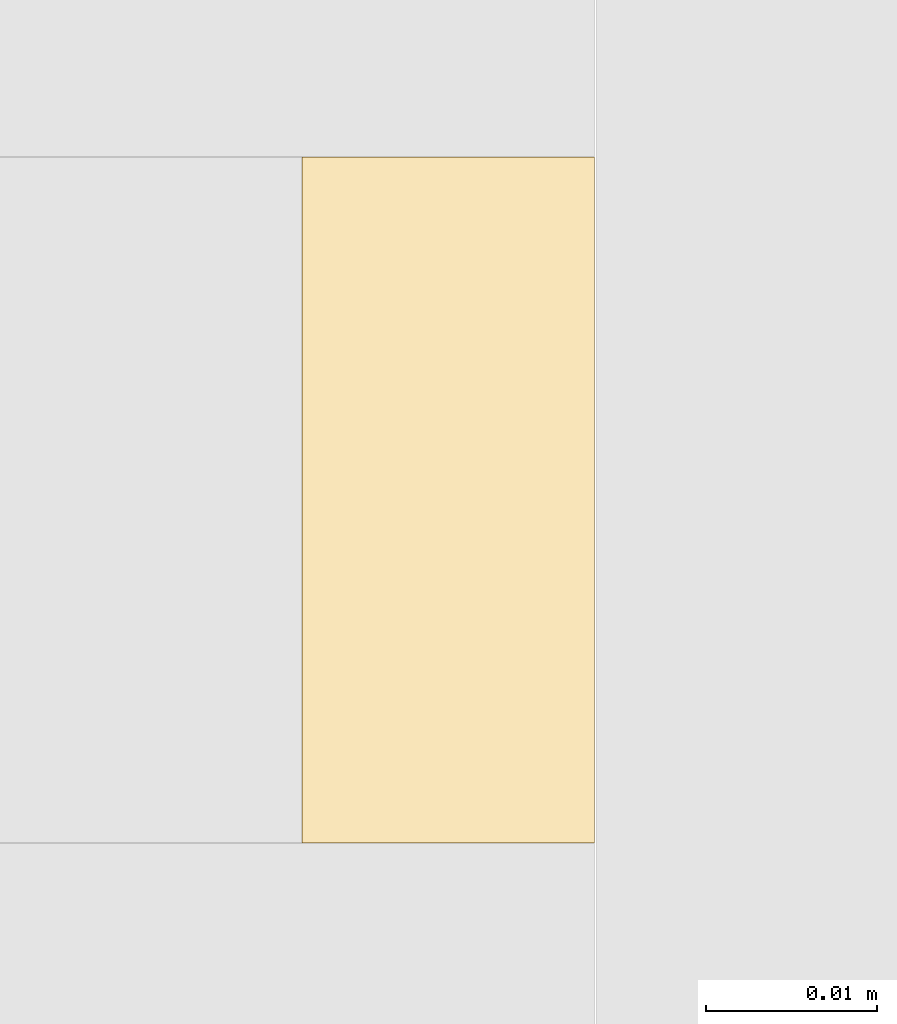
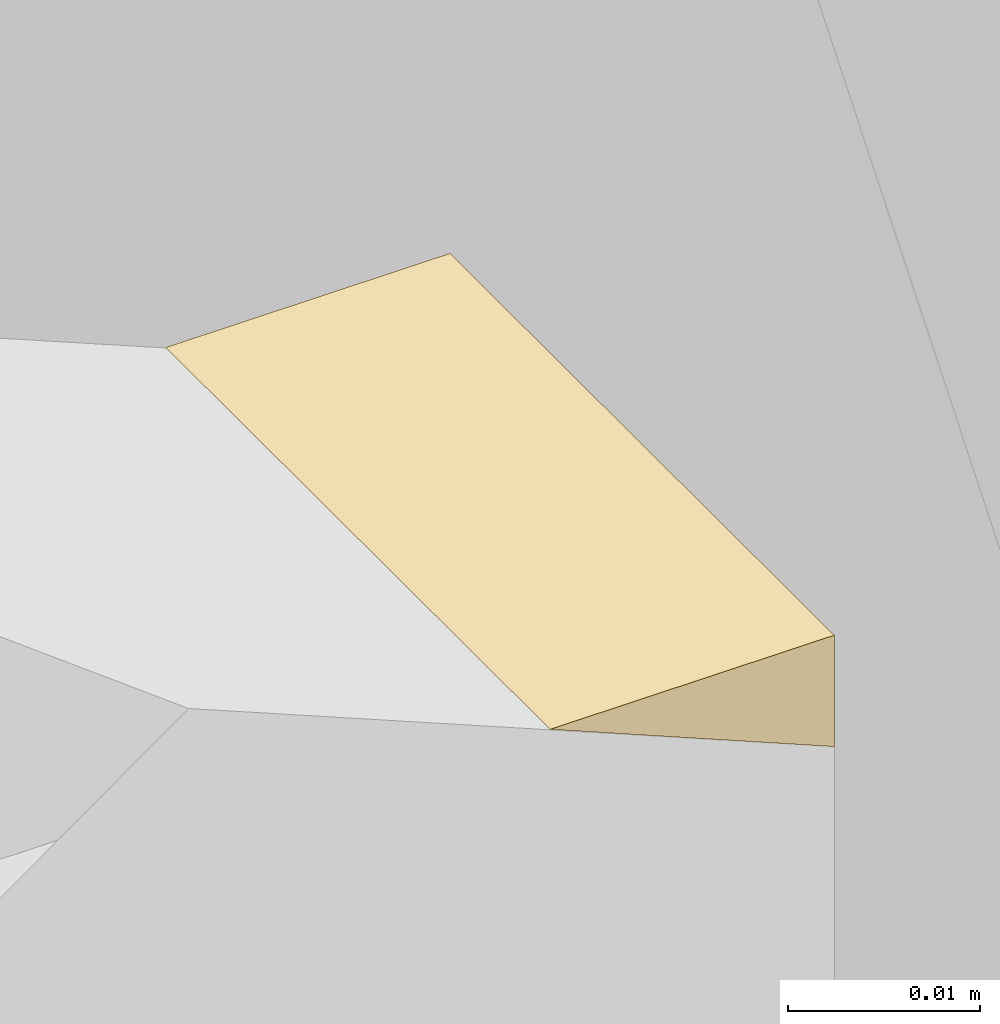
# One storey, part 25 of 25: 1 covering.
"""IFC4 building model written with IfcOpenShell, lengths in metres."""

from ifc_helpers import new_model, si_unit, direction, frame, origin, place, context, subcontext, project, spatial, polyline, outline, extrude, material, layer, layer_set, type_object, element, save


model = new_model("IFC4")

# Units and contexts
model_context = context("Model", 3, precision=1e-05, world=origin(), true_north=direction((0.0, 1.0)))
body_context = subcontext(model_context, "Body", "Model", "MODEL_VIEW")
ifc_project = project(units=[si_unit("LENGTHUNIT", "METRE"), si_unit("AREAUNIT", "SQUARE_METRE"), si_unit("VOLUMEUNIT", "CUBIC_METRE"), si_unit("PLANEANGLEUNIT", "RADIAN"), si_unit("MASSUNIT", "GRAM", prefix="KILO")], contexts=[model_context])

# Site, building, storey
site_placement = place(None, origin())
site = spatial("IfcSite", under=ifc_project, at=site_placement, CompositionType="ELEMENT")
building_placement = place(site_placement, origin())
building = spatial("IfcBuilding", under=site, at=building_placement, Name="Malebo Sky Hospital", CompositionType="ELEMENT")
storey_placement = place(building_placement, frame((0.0, 0.0, 241.0)))
storey = spatial("IfcBuildingStorey", under=building, at=storey_placement, Name="L58", CompositionType="ELEMENT", Elevation=241.0)

# Covering
ifc_material = material(Name="Anodised aluminium, natural silver insulated infill panel", Category="aluminium")
ifc_layer = layer(ifc_material, 0.0400390625)
ifc_layer_set = layer_set([ifc_layer], Name="BRACE INFILL PANEL 40")
covering_type = type_object("IfcCoveringType", Name="BRACE INFILL PANEL 40", PredefinedType="CLADDING", material=ifc_layer_set)
covering_placement = place(storey_placement, frame((65.953857421875, 84.574951171875, 3.3828125), z_axis=(0.0, 0.0, 1.0), x_axis=(1.0, 0.0, 0.0)))
element("IfcCovering", 1, at=covering_placement, inside=storey, type_object=covering_type, Name="Brace infill panel 9.3", PredefinedType="CLADDING", context=body_context, shape_type="SweptSolid", body=[
    extrude(outline(polyline([(0.008544921875, 0.0), (0.008544921875, 0.007080078125), (-0.008544921875, 0.007080078125), (0.008544921875, 0.0)])), frame((0.0, 0.02001953125, 0.0), z_axis=(0.0, -1.0, 0.0), x_axis=(1.0, 0.0, 0.0)), (0.0, 0.0, 1.0), 0.0400390625),
])

save(model, "model.ifc")
